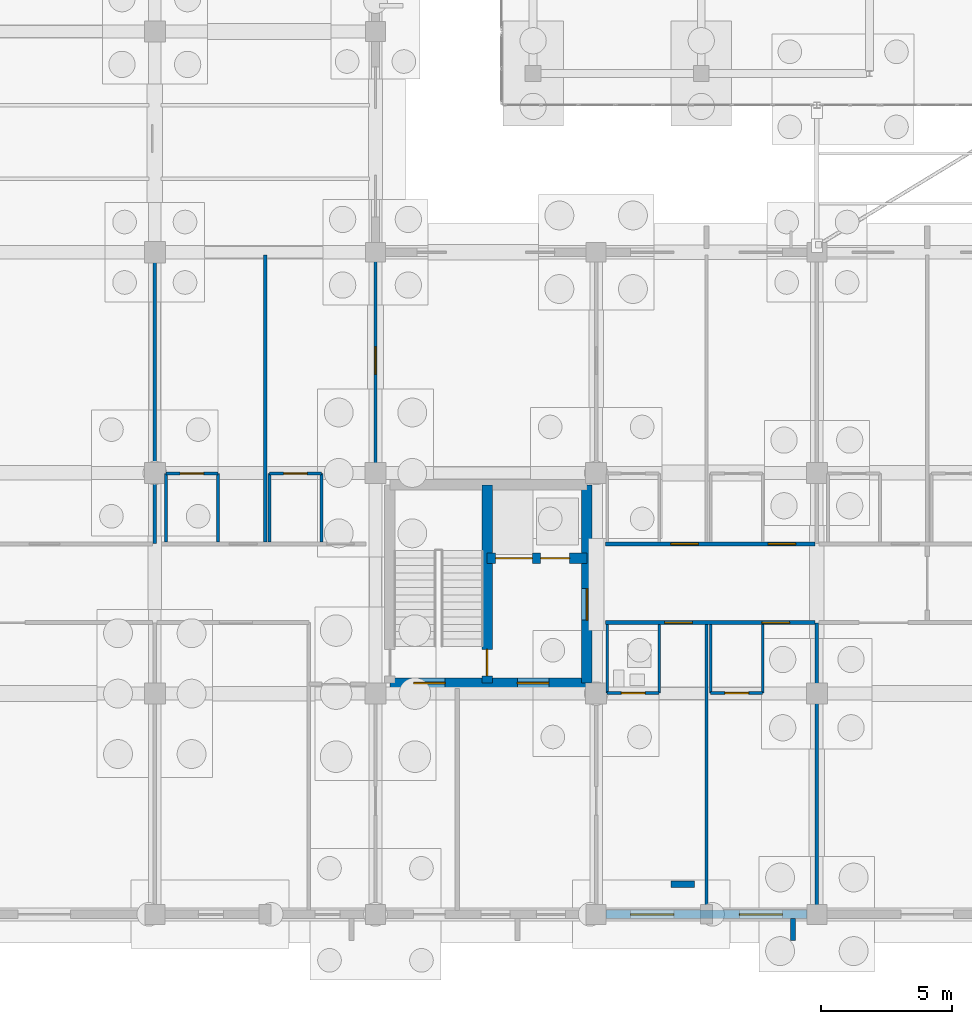
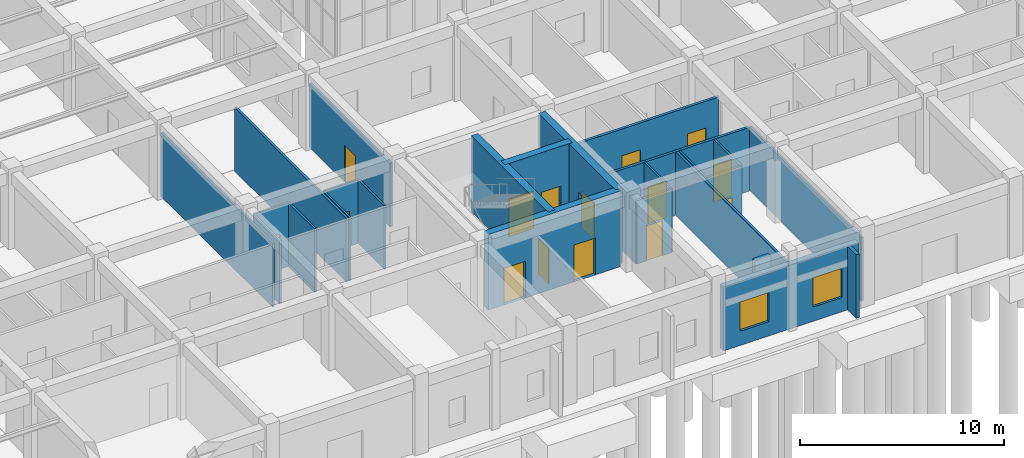
# One storey, part 151 of 192: 26 walls, 15 doors, 2 windows, 17 openings.
"""IFC4 building model written with IfcOpenShell, lengths in metres."""

from ifc_helpers import new_model, si_unit, direction, frame, frame_2d, origin, place, context, subcontext, project, spatial, rectangle, extrude, material, layer, layer_set, type_object, element, fill, save


model = new_model("IFC4")

# Units and contexts
model_context = context("Model", 3, precision=1e-05, world=origin(), true_north=direction((0.0, 1.0)))
body_context = subcontext(model_context, "Body", "Model", "MODEL_VIEW")
ifc_project = project(units=[si_unit("LENGTHUNIT", "METRE"), si_unit("AREAUNIT", "SQUARE_METRE"), si_unit("VOLUMEUNIT", "CUBIC_METRE"), si_unit("PLANEANGLEUNIT", "RADIAN"), si_unit("MASSUNIT", "GRAM", prefix="KILO")], contexts=[model_context])

# Site, building, storey
site_placement = place(None, origin())
site = spatial("IfcSite", under=ifc_project, at=site_placement, CompositionType="ELEMENT")
building_placement = place(site_placement, origin())
building = spatial("IfcBuilding", under=site, at=building_placement, Name="Trelvath General Hospital", CompositionType="ELEMENT")
storey_placement = place(building_placement, origin())
storey = spatial("IfcBuildingStorey", under=building, at=storey_placement, Name="L00", CompositionType="ELEMENT", Elevation=0.0)

# Wall
ifc_material_1 = material(Name="Precast concrete C40/50", Category="concrete")
ifc_layer_1 = layer(ifc_material_1, 0.199951171875)
ifc_layer_set_1 = layer_set([ifc_layer_1], Name="Precast concrete C40/50")
wall_type_1 = type_object("IfcWallType", Name="BriseSoleilRib 200", PredefinedType="ELEMENTEDWALL", material=ifc_layer_set_1)
wall_1_placement = place(storey_placement, frame((57.889404296875, -0.14990234375, 0.0), z_axis=(0.0, 0.0, 1.0), x_axis=(0.0, -1.0, 0.0)))
element("IfcWall", 1, at=wall_1_placement, inside=storey, type_object=wall_type_1, Name="Precast Concrete Brise-Soleil Rib Fin L00-24", PredefinedType="ELEMENTEDWALL", context=body_context, shape_type="SweptSolid", body=[
    extrude(rectangle(XDim=0.85009765625, YDim=0.199951171875, at=frame_2d((0.425048828125, 0.0))), origin(), (0.0, 0.0, 1.0), 3.800048828125),
])

# Wall, openings, doors
ifc_material_2 = material(Name="Gypsum acoustic steel-stud partition", Category="steel")
ifc_layer_2 = layer(ifc_material_2, 0.14990234375)
ifc_layer_set_2 = layer_set([ifc_layer_2], Name="Gypsum acoustic steel-stud partition")
wall_type_2 = type_object("IfcWallType", Name="ClinicalPartition 150", PredefinedType="PARTITIONING", material=ifc_layer_set_2)
wall_2_placement = place(storey_placement, frame((50.760009765625, 11.10009765625, 0.0), z_axis=(0.0, 0.0, 1.0), x_axis=(1.0, 0.0, 0.0)))
wall_2 = element("IfcWall", 2, at=wall_2_placement, inside=storey, type_object=wall_type_2, Name="Corridor Partition L00-45", PredefinedType="PARTITIONING", context=body_context, shape_type="SweptSolid", body=[
    extrude(rectangle(XDim=7.9599609375, YDim=0.14990234375, at=frame_2d((3.97998046875, 0.0))), origin(), (0.0, 0.0, 1.0), 3.800048828125),
])
opening_1_placement = place(wall_2_placement, frame((2.25, 0.0, 0.0)))
opening_1 = element("IfcOpeningElement", 3, at=opening_1_placement, cuts=wall_2, Name="Opening D-0-0305", PredefinedType="OPENING", context=body_context, shape_type="SweptSolid", body=[
    extrude(rectangle(XDim=1.050048828125, YDim=2.199951171875, at=frame_2d((0.52490234375, 1.10009765625))), frame((0.0, 0.0849609375, 0.0), z_axis=(0.0, -1.0, 0.0), x_axis=(1.0, 0.0, 0.0)), (0.0, 0.0, 1.0), 0.169921875),
])
opening_2_placement = place(wall_2_placement, frame((5.949951171875, 0.0, 0.0)))
opening_2 = element("IfcOpeningElement", 4, at=opening_2_placement, cuts=wall_2, Name="Opening D-0-0306", PredefinedType="OPENING", context=body_context, shape_type="SweptSolid", body=[
    extrude(rectangle(XDim=1.050048828125, YDim=2.199951171875, at=frame_2d((0.52490234375, 1.10009765625))), frame((0.0, 0.0849609375, 0.0), z_axis=(0.0, -1.0, 0.0), x_axis=(1.0, 0.0, 0.0)), (0.0, 0.0, 1.0), 0.169921875),
])
ifc_material_3 = material(Name="Acoustic hospital timber leaf", Category="wood")
door_type_1 = type_object("IfcDoorType", Name="Door Consult 1050x2200", OperationType="NOTDEFINED", PredefinedType="DOOR", material=ifc_material_3)
door_1_placement = place(opening_1_placement, origin())
door_1 = element("IfcDoor", 5, at=door_1_placement, inside=storey, type_object=door_type_1, Name="Patient Room Door L00-305", OperationType="SINGLE_SWING_RIGHT", OverallHeight=2.199951171875, OverallWidth=1.050048828125, PredefinedType="DOOR", context=body_context, shape_type="SweptSolid", body=[
    extrude(rectangle(XDim=1.050048828125, YDim=2.199951171875, at=frame_2d((0.52490234375, 1.10009765625))), frame((0.0, 0.02490234375, 0.0), z_axis=(0.0, -1.0, 0.0), x_axis=(1.0, 0.0, 0.0)), (0.0, 0.0, 1.0), 0.050048828125),
])
fill(opening_1, door_1)
door_2_placement = place(opening_2_placement, origin())
door_2 = element("IfcDoor", 6, at=door_2_placement, inside=storey, type_object=door_type_1, Name="Patient Room Door L00-306", OperationType="SINGLE_SWING_LEFT", OverallHeight=2.199951171875, OverallWidth=1.050048828125, PredefinedType="DOOR", context=body_context, shape_type="SweptSolid", body=[
    extrude(rectangle(XDim=1.050048828125, YDim=2.199951171875, at=frame_2d((0.52490234375, 1.10009765625))), frame((0.0, 0.02490234375, 0.0), z_axis=(0.0, -1.0, 0.0), x_axis=(1.0, 0.0, 0.0)), (0.0, 0.0, 1.0), 0.050048828125),
])
fill(opening_2, door_2)

wall_3_placement = place(storey_placement, frame((58.719970703125, 14.10009765625, 0.0), z_axis=(0.0, 0.0, 1.0), x_axis=(-1.0, 0.0, 0.0)))
wall_3 = element("IfcWall", 7, at=wall_3_placement, inside=storey, type_object=wall_type_2, Name="Corridor Partition N L00-54", PredefinedType="PARTITIONING", context=body_context, shape_type="SweptSolid", body=[
    extrude(rectangle(XDim=7.9599609375, YDim=0.14990234375, at=frame_2d((3.97998046875, 0.0))), origin(), (0.0, 0.0, 1.0), 3.800048828125),
])
opening_3_placement = place(wall_3_placement, frame((0.72998046875, 0.0, 0.0)))
opening_3 = element("IfcOpeningElement", 8, at=opening_3_placement, cuts=wall_3, Name="Opening D-0-0309", PredefinedType="OPENING", context=body_context, shape_type="SweptSolid", body=[
    extrude(rectangle(XDim=1.050048828125, YDim=2.199951171875, at=frame_2d((0.52490234375, 1.10009765625))), frame((0.0, 0.0849609375, 0.0), z_axis=(0.0, -1.0, 0.0), x_axis=(1.0, 0.0, 0.0)), (0.0, 0.0, 1.0), 0.169921875),
])
opening_4_placement = place(wall_3_placement, frame((4.429931640625, 0.0, 0.0)))
opening_4 = element("IfcOpeningElement", 9, at=opening_4_placement, cuts=wall_3, Name="Opening D-0-0310", PredefinedType="OPENING", context=body_context, shape_type="SweptSolid", body=[
    extrude(rectangle(XDim=1.050048828125, YDim=2.199951171875, at=frame_2d((0.52490234375, 1.10009765625))), frame((0.0, 0.0849609375, 0.0), z_axis=(0.0, -1.0, 0.0), x_axis=(1.0, 0.0, 0.0)), (0.0, 0.0, 1.0), 0.169921875),
])
door_3_placement = place(opening_3_placement, origin())
door_3 = element("IfcDoor", 10, at=door_3_placement, inside=storey, type_object=door_type_1, Name="Patient Room Door N L00-309", OperationType="SINGLE_SWING_RIGHT", OverallHeight=2.199951171875, OverallWidth=1.050048828125, PredefinedType="DOOR", context=body_context, shape_type="SweptSolid", body=[
    extrude(rectangle(XDim=1.050048828125, YDim=2.199951171875, at=frame_2d((0.52490234375, 1.10009765625))), frame((0.0, 0.02490234375, 0.0), z_axis=(0.0, -1.0, 0.0), x_axis=(1.0, 0.0, 0.0)), (0.0, 0.0, 1.0), 0.050048828125),
])
fill(opening_3, door_3)
door_4_placement = place(opening_4_placement, origin())
door_4 = element("IfcDoor", 11, at=door_4_placement, inside=storey, type_object=door_type_1, Name="Patient Room Door N L00-310", OperationType="SINGLE_SWING_RIGHT", OverallHeight=2.199951171875, OverallWidth=1.050048828125, PredefinedType="DOOR", context=body_context, shape_type="SweptSolid", body=[
    extrude(rectangle(XDim=1.050048828125, YDim=2.199951171875, at=frame_2d((0.52490234375, 1.10009765625))), frame((0.0, 0.02490234375, 0.0), z_axis=(0.0, -1.0, 0.0), x_axis=(1.0, 0.0, 0.0)), (0.0, 0.0, 1.0), 0.050048828125),
])
fill(opening_4, door_4)

ifc_material_4 = material(Name="Concrete C40/50", Category="concrete")
ifc_layer_3 = layer(ifc_material_4, 0.39990234375)
ifc_layer_set_3 = layer_set([ifc_layer_3], Name="Concrete C40/50")
wall_type_3 = type_object("IfcWallType", Name="CoreShearWall 400", PredefinedType="SHEAR", material=ifc_layer_set_3)
wall_4_placement = place(storey_placement, frame((42.550048828125, 8.800048828125, 0.0), z_axis=(0.0, 0.0, 1.0), x_axis=(1.0, 0.0, 0.0)))
wall_4 = element("IfcWall", 12, at=wall_4_placement, inside=storey, type_object=wall_type_3, Name="Core Shear Wall C4 S L00", PredefinedType="SHEAR", context=body_context, shape_type="SweptSolid", body=[
    extrude(rectangle(XDim=7.5, YDim=0.39990234375, at=frame_2d((3.75, 0.0))), origin(), (0.0, 0.0, 1.0), 4.52001953125),
])
opening_5_placement = place(wall_4_placement, frame((4.85009765625, 0.0, 0.0)))
opening_5 = element("IfcOpeningElement", 13, at=opening_5_placement, cuts=wall_4, Name="Opening FD-LS40", PredefinedType="OPENING", context=body_context, shape_type="SweptSolid", body=[
    extrude(rectangle(XDim=1.199951171875, YDim=2.199951171875, at=frame_2d((0.60009765625, 1.10009765625))), frame((0.0, 0.2099609375, 0.0), z_axis=(0.0, -1.0, 0.0), x_axis=(1.0, 0.0, 0.0)), (0.0, 0.0, 1.0), 0.419921875),
])
opening_6_placement = place(wall_4_placement, frame((0.89990234375, 0.0, 0.0)))
opening_6 = element("IfcOpeningElement", 14, at=opening_6_placement, cuts=wall_4, Name="Opening FD-EX4", PredefinedType="OPENING", context=body_context, shape_type="SweptSolid", body=[
    extrude(rectangle(XDim=1.199951171875, YDim=2.199951171875, at=frame_2d((0.60009765625, 1.10009765625))), frame((0.0, 0.2099609375, 0.0), z_axis=(0.0, -1.0, 0.0), x_axis=(1.0, 0.0, 0.0)), (0.0, 0.0, 1.0), 0.419921875),
])
ifc_material_5 = material(Name="Fire-rated steel door", Category="steel")
door_type_2 = type_object("IfcDoorType", Name="Door FireLobby 1200x2200", OperationType="NOTDEFINED", PredefinedType="DOOR", material=ifc_material_5)
door_5_placement = place(opening_5_placement, origin())
door_5 = element("IfcDoor", 15, at=door_5_placement, inside=storey, type_object=door_type_2, Name="Fire Lobby South Door C4 L00", OperationType="SINGLE_SWING_LEFT", OverallHeight=2.199951171875, OverallWidth=1.199951171875, PredefinedType="DOOR", context=body_context, shape_type="SweptSolid", body=[
    extrude(rectangle(XDim=1.199951171875, YDim=2.199951171875, at=frame_2d((0.60009765625, 1.10009765625))), frame((0.0, 0.02490234375, 0.0), z_axis=(0.0, -1.0, 0.0), x_axis=(1.0, 0.0, 0.0)), (0.0, 0.0, 1.0), 0.050048828125),
])
fill(opening_5, door_5)
door_6_placement = place(opening_6_placement, origin())
door_6 = element("IfcDoor", 16, at=door_6_placement, inside=storey, type_object=door_type_2, Name="Exit Stair Discharge Door ST4 L00", OperationType="SINGLE_SWING_RIGHT", OverallHeight=2.199951171875, OverallWidth=1.199951171875, PredefinedType="DOOR", context=body_context, shape_type="SweptSolid", body=[
    extrude(rectangle(XDim=1.199951171875, YDim=2.199951171875, at=frame_2d((0.60009765625, 1.10009765625))), frame((0.0, 0.02490234375, 0.0), z_axis=(0.0, -1.0, 0.0), x_axis=(1.0, 0.0, 0.0)), (0.0, 0.0, 1.0), 0.050048828125),
])
fill(opening_6, door_6)

# Wall, opening, door
wall_5_placement = place(storey_placement, frame((50.050048828125, 8.800048828125, 0.0), z_axis=(0.0, 0.0, 1.0), x_axis=(0.0, 1.0, 0.0)))
wall_5 = element("IfcWall", 17, at=wall_5_placement, inside=storey, type_object=wall_type_3, Name="Core Shear Wall C4 E L00", PredefinedType="SHEAR", context=body_context, shape_type="SweptSolid", body=[
    extrude(rectangle(XDim=7.550048828125, YDim=0.39990234375, at=frame_2d((3.77490234375, 0.0))), origin(), (0.0, 0.0, 1.0), 4.52001953125),
])
opening_7_placement = place(wall_5_placement, frame((2.39990234375, 0.0, 0.0)))
opening_7 = element("IfcOpeningElement", 18, at=opening_7_placement, cuts=wall_5, Name="Opening FD-LE40", PredefinedType="OPENING", context=body_context, shape_type="SweptSolid", body=[
    extrude(rectangle(XDim=1.199951171875, YDim=2.199951171875, at=frame_2d((0.60009765625, 1.10009765625))), frame((0.0, 0.2099609375, 0.0), z_axis=(0.0, -1.0, 0.0), x_axis=(1.0, 0.0, 0.0)), (0.0, 0.0, 1.0), 0.419921875),
])
door_7_placement = place(opening_7_placement, origin())
door_7 = element("IfcDoor", 19, at=door_7_placement, inside=storey, type_object=door_type_2, Name="Fire Lobby East Corridor Door C4 L00", OperationType="SINGLE_SWING_RIGHT", OverallHeight=2.199951171875, OverallWidth=1.199951171875, PredefinedType="DOOR", context=body_context, shape_type="SweptSolid", body=[
    extrude(rectangle(XDim=1.199951171875, YDim=2.199951171875, at=frame_2d((0.60009765625, 1.10009765625))), frame((0.0, 0.02490234375, 0.0), z_axis=(0.0, -1.0, 0.0), x_axis=(1.0, 0.0, 0.0)), (0.0, 0.0, 1.0), 0.050048828125),
])
fill(opening_7, door_7)

wall_6_placement = place(storey_placement, frame((46.25, 8.800048828125, 0.0), z_axis=(0.0, 0.0, 1.0), x_axis=(0.0, 1.0, 0.0)))
wall_6 = element("IfcWall", 20, at=wall_6_placement, inside=storey, type_object=wall_type_3, Name="Core Shear Wall C4 SPINE L00", PredefinedType="SHEAR", context=body_context, shape_type="SweptSolid", body=[
    extrude(rectangle(XDim=7.550048828125, YDim=0.39990234375, at=frame_2d((3.77490234375, 0.0))), origin(), (0.0, 0.0, 1.0), 4.52001953125),
])
opening_8_placement = place(wall_6_placement, frame((0.280029296875, 0.0, 0.0)))
opening_8 = element("IfcOpeningElement", 21, at=opening_8_placement, cuts=wall_6, Name="Opening FD-S40", PredefinedType="OPENING", context=body_context, shape_type="SweptSolid", body=[
    extrude(rectangle(XDim=1.0, YDim=2.14990234375, at=frame_2d((0.5, 1.074951171875))), frame((0.0, 0.2099609375, 0.0), z_axis=(0.0, -1.0, 0.0), x_axis=(1.0, 0.0, 0.0)), (0.0, 0.0, 1.0), 0.419921875),
])
ifc_material_6 = material(Name="Fire-rated steel door", Category="steel")
door_type_3 = type_object("IfcDoorType", Name="Door FireStair 1100x2150", OperationType="NOTDEFINED", PredefinedType="DOOR", material=ifc_material_6)
door_8_placement = place(opening_8_placement, origin())
door_8 = element("IfcDoor", 22, at=door_8_placement, inside=storey, type_object=door_type_3, Name="Exit Stair Door ST4 L00", OperationType="SINGLE_SWING_LEFT", OverallHeight=2.14990234375, OverallWidth=1.0, PredefinedType="DOOR", context=body_context, shape_type="SweptSolid", body=[
    extrude(rectangle(XDim=1.0, YDim=2.14990234375, at=frame_2d((0.5, 1.074951171875))), frame((0.0, 0.02490234375, 0.0), z_axis=(0.0, -1.0, 0.0), x_axis=(1.0, 0.0, 0.0)), (0.0, 0.0, 1.0), 0.050048828125),
])
fill(opening_8, door_8)

# Wall, openings, doors
wall_7_placement = place(storey_placement, frame((46.25, 13.550048828125, 0.0), z_axis=(0.0, 0.0, 1.0), x_axis=(1.0, 0.0, 0.0)))
wall_7 = element("IfcWall", 23, at=wall_7_placement, inside=storey, type_object=wall_type_3, Name="Core Shear Wall C4 SHAFT L00", PredefinedType="SHEAR", context=body_context, shape_type="SweptSolid", body=[
    extrude(rectangle(XDim=3.800048828125, YDim=0.39990234375, at=frame_2d((1.89990234375, 0.0))), origin(), (0.0, 0.0, 1.0), 4.52001953125),
])
opening_9_placement = place(wall_7_placement, frame((0.320068359375, 0.0, 0.0)))
opening_9 = element("IfcOpeningElement", 24, at=opening_9_placement, cuts=wall_7, Name="Opening LD-BD3-0", PredefinedType="OPENING", context=body_context, shape_type="SweptSolid", body=[
    extrude(rectangle(XDim=1.39990234375, YDim=2.25, at=frame_2d((0.699951171875, 1.125))), frame((0.0, 0.2099609375, 0.0), z_axis=(0.0, -1.0, 0.0), x_axis=(1.0, 0.0, 0.0)), (0.0, 0.0, 1.0), 0.419921875),
])
opening_10_placement = place(wall_7_placement, frame((2.0400390625, 0.0, 0.0)))
opening_10 = element("IfcOpeningElement", 25, at=opening_10_placement, cuts=wall_7, Name="Opening LD-PA1-0", PredefinedType="OPENING", context=body_context, shape_type="SweptSolid", body=[
    extrude(rectangle(XDim=1.10009765625, YDim=2.14990234375, at=frame_2d((0.550048828125, 1.074951171875))), frame((0.0, 0.2099609375, 0.0), z_axis=(0.0, -1.0, 0.0), x_axis=(1.0, 0.0, 0.0)), (0.0, 0.0, 1.0), 0.419921875),
])
ifc_material_7 = material(Name="Stainless steel stretcher lift landing door", Category="steel")
door_type_4 = type_object("IfcDoorType", Name="Door LiftBed 1400x2250", OperationType="SLIDING_TO_LEFT", PredefinedType="DOOR", material=ifc_material_7)
door_9_placement = place(opening_9_placement, origin())
door_9 = element("IfcDoor", 26, at=door_9_placement, inside=storey, type_object=door_type_4, Name="Lift Landing Sliding Door LF-BD3 L00", OperationType="SLIDING_TO_LEFT", OverallHeight=2.25, OverallWidth=1.39990234375, PredefinedType="DOOR", context=body_context, shape_type="SweptSolid", body=[
    extrude(rectangle(XDim=1.39990234375, YDim=2.25, at=frame_2d((0.699951171875, 1.125))), frame((0.0, 0.02490234375, 0.0), z_axis=(0.0, -1.0, 0.0), x_axis=(1.0, 0.0, 0.0)), (0.0, 0.0, 1.0), 0.050048828125),
])
fill(opening_9, door_9)
ifc_material_8 = material(Name="Stainless steel lift landing sliding door", Category="steel")
door_type_5 = type_object("IfcDoorType", Name="Door LiftLanding 1100x2150", OperationType="SLIDING_TO_LEFT", PredefinedType="DOOR", material=ifc_material_8)
door_10_placement = place(opening_10_placement, origin())
door_10 = element("IfcDoor", 27, at=door_10_placement, inside=storey, type_object=door_type_5, Name="Lift Landing Sliding Door LF-PA1 L00", OperationType="SLIDING_TO_LEFT", OverallHeight=2.14990234375, OverallWidth=1.10009765625, PredefinedType="DOOR", context=body_context, shape_type="SweptSolid", body=[
    extrude(rectangle(XDim=1.10009765625, YDim=2.14990234375, at=frame_2d((0.550048828125, 1.074951171875))), frame((0.0, 0.02490234375, 0.0), z_axis=(0.0, -1.0, 0.0), x_axis=(1.0, 0.0, 0.0)), (0.0, 0.0, 1.0), 0.050048828125),
])
fill(opening_10, door_10)

# Walls
ifc_material_9 = material(Name="Moisture-resistant tile partition")
ifc_layer_4 = layer(ifc_material_9, 0.110107421875)
ifc_layer_set_4 = layer_set([ifc_layer_4], Name="Moisture-resistant tile partition")
wall_type_4 = type_object("IfcWallType", Name="EnSuiteWetWall 110", PredefinedType="PARTITIONING", material=ifc_layer_set_4)
for number, where, z_axis, x_axis, name in (
    (28, (34.02001953125, 14.169921875, 0.0), (0.0, 0.0, 1.0), (0.0, 1.0, 0.0), "En-Suite W Wall N L00-34"),
    (29, (36.0, 14.169921875, 0.0), (0.0, 0.0, 1.0), (0.0, 1.0, 0.0), "En-Suite E Wall N L00-35"),
):
    element("IfcWall", number, at=place(storey_placement, frame(where, z_axis=z_axis, x_axis=x_axis)), inside=storey, type_object=wall_type_4, Name=name, PredefinedType="PARTITIONING", context=body_context, shape_type="SweptSolid", body=[
        extrude(rectangle(XDim=2.610107421875, YDim=0.110107421875, at=frame_2d((1.30517578125, 0.0))), origin(), (0.0, 0.0, 1.0), 3.800048828125),
    ])

# Wall, opening, door
wall_8_placement = place(storey_placement, frame((34.02001953125, 16.780029296875, 0.0), z_axis=(0.0, 0.0, 1.0), x_axis=(1.0, 0.0, 0.0)))
wall_8 = element("IfcWall", 30, at=wall_8_placement, inside=storey, type_object=wall_type_4, Name="En-Suite Bathroom N Partition L00-36", PredefinedType="PARTITIONING", context=body_context, shape_type="SweptSolid", body=[
    extrude(rectangle(XDim=1.97998046875, YDim=0.110107421875, at=frame_2d((0.989990234375, 0.0))), origin(), (0.0, 0.0, 1.0), 3.800048828125),
])
opening_11_placement = place(wall_8_placement, frame((0.5400390625, 0.0, 0.0)))
opening_11 = element("IfcOpeningElement", 31, at=opening_11_placement, cuts=wall_8, Name="Opening D-0-0299", PredefinedType="OPENING", context=body_context, shape_type="SweptSolid", body=[
    extrude(rectangle(XDim=0.89990234375, YDim=2.10009765625, at=frame_2d((0.449951171875, 1.050048828125))), frame((0.0, 0.06494140625, 0.0), z_axis=(0.0, -1.0, 0.0), x_axis=(1.0, 0.0, 0.0)), (0.0, 0.0, 1.0), 0.130126953125),
])
ifc_material_10 = material(Name="Moisture-sealed timber leaf", Category="wood")
door_type_6 = type_object("IfcDoorType", Name="Door EnSuite 900x2100", OperationType="NOTDEFINED", PredefinedType="DOOR", material=ifc_material_10)
door_11_placement = place(opening_11_placement, origin())
door_11 = element("IfcDoor", 32, at=door_11_placement, inside=storey, type_object=door_type_6, Name="En-Suite Bathroom N Door L00-299", OperationType="SINGLE_SWING_RIGHT", OverallHeight=2.10009765625, OverallWidth=0.89990234375, PredefinedType="DOOR", context=body_context, shape_type="SweptSolid", body=[
    extrude(rectangle(XDim=0.89990234375, YDim=2.10009765625, at=frame_2d((0.449951171875, 1.050048828125))), frame((0.0, 0.02490234375, 0.0), z_axis=(0.0, -1.0, 0.0), x_axis=(1.0, 0.0, 0.0)), (0.0, 0.0, 1.0), 0.050048828125),
])
fill(opening_11, door_11)

# Walls
for number, where, z_axis, x_axis, name in (
    (33, (37.9599609375, 14.169921875, 0.0), (0.0, 0.0, 1.0), (0.0, 1.0, 0.0), "En-Suite W Wall N L00-37"),
    (34, (39.93994140625, 14.169921875, 0.0), (0.0, 0.0, 1.0), (0.0, 1.0, 0.0), "En-Suite E Wall N L00-38"),
):
    element("IfcWall", number, at=place(storey_placement, frame(where, z_axis=z_axis, x_axis=x_axis)), inside=storey, type_object=wall_type_4, Name=name, PredefinedType="PARTITIONING", context=body_context, shape_type="SweptSolid", body=[
        extrude(rectangle(XDim=2.610107421875, YDim=0.110107421875, at=frame_2d((1.30517578125, 0.0))), origin(), (0.0, 0.0, 1.0), 3.800048828125),
    ])

# Wall, opening, door
wall_9_placement = place(storey_placement, frame((37.9599609375, 16.780029296875, 0.0), z_axis=(0.0, 0.0, 1.0), x_axis=(1.0, 0.0, 0.0)))
wall_9 = element("IfcWall", 35, at=wall_9_placement, inside=storey, type_object=wall_type_4, Name="En-Suite Bathroom N Partition L00-39", PredefinedType="PARTITIONING", context=body_context, shape_type="SweptSolid", body=[
    extrude(rectangle(XDim=1.97998046875, YDim=0.110107421875, at=frame_2d((0.989990234375, 0.0))), origin(), (0.0, 0.0, 1.0), 3.800048828125),
])
opening_12_placement = place(wall_9_placement, frame((0.5400390625, 0.0, 0.0)))
opening_12 = element("IfcOpeningElement", 36, at=opening_12_placement, cuts=wall_9, Name="Opening D-0-0300", PredefinedType="OPENING", context=body_context, shape_type="SweptSolid", body=[
    extrude(rectangle(XDim=0.89990234375, YDim=2.10009765625, at=frame_2d((0.449951171875, 1.050048828125))), frame((0.0, 0.06494140625, 0.0), z_axis=(0.0, -1.0, 0.0), x_axis=(1.0, 0.0, 0.0)), (0.0, 0.0, 1.0), 0.130126953125),
])
door_12_placement = place(opening_12_placement, origin())
door_12 = element("IfcDoor", 37, at=door_12_placement, inside=storey, type_object=door_type_6, Name="En-Suite Bathroom N Door L00-300", OperationType="SINGLE_SWING_LEFT", OverallHeight=2.10009765625, OverallWidth=0.89990234375, PredefinedType="DOOR", context=body_context, shape_type="SweptSolid", body=[
    extrude(rectangle(XDim=0.89990234375, YDim=2.10009765625, at=frame_2d((0.449951171875, 1.050048828125))), frame((0.0, 0.02490234375, 0.0), z_axis=(0.0, -1.0, 0.0), x_axis=(1.0, 0.0, 0.0)), (0.0, 0.0, 1.0), 0.050048828125),
])
fill(opening_12, door_12)

# Walls
for number, where, z_axis, x_axis, name in (
    (38, (50.820068359375, 8.419921875, 0.0), (0.0, 0.0, 1.0), (0.0, 1.0, 0.0), "En-Suite W Wall L00-47"),
    (39, (52.800048828125, 8.419921875, 0.0), (0.0, 0.0, 1.0), (0.0, 1.0, 0.0), "En-Suite E Wall L00-48"),
):
    element("IfcWall", number, at=place(storey_placement, frame(where, z_axis=z_axis, x_axis=x_axis)), inside=storey, type_object=wall_type_4, Name=name, PredefinedType="PARTITIONING", context=body_context, shape_type="SweptSolid", body=[
        extrude(rectangle(XDim=2.610107421875, YDim=0.110107421875, at=frame_2d((1.30517578125, 0.0))), origin(), (0.0, 0.0, 1.0), 3.800048828125),
    ])

# Wall, opening, door
wall_10_placement = place(storey_placement, frame((50.820068359375, 8.419921875, 0.0), z_axis=(0.0, 0.0, 1.0), x_axis=(1.0, 0.0, 0.0)))
wall_10 = element("IfcWall", 40, at=wall_10_placement, inside=storey, type_object=wall_type_4, Name="En-Suite Bathroom Partition L00-49", PredefinedType="PARTITIONING", context=body_context, shape_type="SweptSolid", body=[
    extrude(rectangle(XDim=1.97998046875, YDim=0.110107421875, at=frame_2d((0.989990234375, 0.0))), origin(), (0.0, 0.0, 1.0), 3.800048828125),
])
opening_13_placement = place(wall_10_placement, frame((0.5400390625, 0.0, 0.0)))
opening_13 = element("IfcOpeningElement", 41, at=opening_13_placement, cuts=wall_10, Name="Opening D-0-0307", PredefinedType="OPENING", context=body_context, shape_type="SweptSolid", body=[
    extrude(rectangle(XDim=0.89990234375, YDim=2.10009765625, at=frame_2d((0.449951171875, 1.050048828125))), frame((0.0, 0.06494140625, 0.0), z_axis=(0.0, -1.0, 0.0), x_axis=(1.0, 0.0, 0.0)), (0.0, 0.0, 1.0), 0.130126953125),
])
door_13_placement = place(opening_13_placement, origin())
door_13 = element("IfcDoor", 42, at=door_13_placement, inside=storey, type_object=door_type_6, Name="En-Suite Bathroom Door L00-307", OperationType="SINGLE_SWING_RIGHT", OverallHeight=2.10009765625, OverallWidth=0.89990234375, PredefinedType="DOOR", context=body_context, shape_type="SweptSolid", body=[
    extrude(rectangle(XDim=0.89990234375, YDim=2.10009765625, at=frame_2d((0.449951171875, 1.050048828125))), frame((0.0, 0.02490234375, 0.0), z_axis=(0.0, -1.0, 0.0), x_axis=(1.0, 0.0, 0.0)), (0.0, 0.0, 1.0), 0.050048828125),
])
fill(opening_13, door_13)

# Walls
for number, where, z_axis, x_axis, name in (
    (43, (54.760009765625, 8.419921875, 0.0), (0.0, 0.0, 1.0), (0.0, 1.0, 0.0), "En-Suite W Wall L00-50"),
    (44, (56.739990234375, 8.419921875, 0.0), (0.0, 0.0, 1.0), (0.0, 1.0, 0.0), "En-Suite E Wall L00-51"),
):
    element("IfcWall", number, at=place(storey_placement, frame(where, z_axis=z_axis, x_axis=x_axis)), inside=storey, type_object=wall_type_4, Name=name, PredefinedType="PARTITIONING", context=body_context, shape_type="SweptSolid", body=[
        extrude(rectangle(XDim=2.610107421875, YDim=0.110107421875, at=frame_2d((1.30517578125, 0.0))), origin(), (0.0, 0.0, 1.0), 3.800048828125),
    ])

# Wall, opening, door
wall_11_placement = place(storey_placement, frame((54.760009765625, 8.419921875, 0.0), z_axis=(0.0, 0.0, 1.0), x_axis=(1.0, 0.0, 0.0)))
wall_11 = element("IfcWall", 45, at=wall_11_placement, inside=storey, type_object=wall_type_4, Name="En-Suite Bathroom Partition L00-52", PredefinedType="PARTITIONING", context=body_context, shape_type="SweptSolid", body=[
    extrude(rectangle(XDim=1.97998046875, YDim=0.110107421875, at=frame_2d((0.989990234375, 0.0))), origin(), (0.0, 0.0, 1.0), 3.800048828125),
])
opening_14_placement = place(wall_11_placement, frame((0.5400390625, 0.0, 0.0)))
opening_14 = element("IfcOpeningElement", 46, at=opening_14_placement, cuts=wall_11, Name="Opening D-0-0308", PredefinedType="OPENING", context=body_context, shape_type="SweptSolid", body=[
    extrude(rectangle(XDim=0.89990234375, YDim=2.10009765625, at=frame_2d((0.449951171875, 1.050048828125))), frame((0.0, 0.06494140625, 0.0), z_axis=(0.0, -1.0, 0.0), x_axis=(1.0, 0.0, 0.0)), (0.0, 0.0, 1.0), 0.130126953125),
])
door_14_placement = place(opening_14_placement, origin())
door_14 = element("IfcDoor", 47, at=door_14_placement, inside=storey, type_object=door_type_6, Name="En-Suite Bathroom Door L00-308", OperationType="SINGLE_SWING_LEFT", OverallHeight=2.10009765625, OverallWidth=0.89990234375, PredefinedType="DOOR", context=body_context, shape_type="SweptSolid", body=[
    extrude(rectangle(XDim=0.89990234375, YDim=2.10009765625, at=frame_2d((0.449951171875, 1.050048828125))), frame((0.0, 0.02490234375, 0.0), z_axis=(0.0, -1.0, 0.0), x_axis=(1.0, 0.0, 0.0)), (0.0, 0.0, 1.0), 0.050048828125),
])
fill(opening_14, door_14)

# Wall, openings, windows
ifc_material_11 = material(Name="Concrete C35/45", Category="concrete")
ifc_layer_5 = layer(ifc_material_11, 0.320068359375)
ifc_layer_set_5 = layer_set([ifc_layer_5], Name="Concrete C35/45")
wall_type_5 = type_object("IfcWallType", Name="ExtThermalWall 320", PredefinedType="SOLIDWALL", material=ifc_layer_set_5)
wall_12_placement = place(storey_placement, frame((58.425048828125, 0.0, 0.0), z_axis=(0.0, 0.0, 1.0), x_axis=(-1.0, 0.0, 0.0)))
wall_12 = element("IfcWall", 48, at=wall_12_placement, inside=storey, type_object=wall_type_5, Name="Exterior Concrete Wall L00-37", PredefinedType="SOLIDWALL", context=body_context, shape_type="SweptSolid", body=[
    extrude(rectangle(XDim=7.650146484375, YDim=0.320068359375, at=frame_2d((3.8251953125, 0.0))), origin(), (0.0, 0.0, 1.0), 3.820068359375),
])
opening_15_placement = place(wall_12_placement, frame((0.939453125, 0.0, 0.85009765625)))
opening_15 = element("IfcOpeningElement", 49, at=opening_15_placement, cuts=wall_12, Name="Opening WN-0-055", PredefinedType="OPENING", context=body_context, shape_type="SweptSolid", body=[
    extrude(rectangle(XDim=1.639892578125, YDim=1.75, at=frame_2d((0.81982421875, 0.875))), frame((0.0, 0.169921875, 0.0), z_axis=(0.0, -1.0, 0.0), x_axis=(1.0, 0.0, 0.0)), (0.0, 0.0, 1.0), 0.340087890625),
])
opening_16_placement = place(wall_12_placement, frame((5.070556640625, 0.0, 0.85009765625)))
opening_16 = element("IfcOpeningElement", 50, at=opening_16_placement, cuts=wall_12, Name="Opening WN-0-056", PredefinedType="OPENING", context=body_context, shape_type="SweptSolid", body=[
    extrude(rectangle(XDim=1.639892578125, YDim=1.75, at=frame_2d((0.81982421875, 0.875))), frame((0.0, 0.169921875, 0.0), z_axis=(0.0, -1.0, 0.0), x_axis=(1.0, 0.0, 0.0)), (0.0, 0.0, 1.0), 0.340087890625),
])
ifc_material_12 = material(Name="Low-E laminated glass", Category="glass")
window_type = type_object("IfcWindowType", Name="Window ICU 1640x1750", PartitioningType="DOUBLE_PANEL_VERTICAL", PredefinedType="WINDOW", material=ifc_material_12)
window_1_placement = place(opening_15_placement, origin())
window_1 = element("IfcWindow", 51, at=window_1_placement, inside=storey, type_object=window_type, Name="Solar Reveal Window L00-55", OverallHeight=1.75, OverallWidth=1.639892578125, PartitioningType="SINGLE_PANEL", PredefinedType="WINDOW", context=body_context, shape_type="SweptSolid", body=[
    extrude(rectangle(XDim=1.639892578125, YDim=1.75, at=frame_2d((0.81982421875, 0.875))), frame((0.0, 0.030029296875, 0.0), z_axis=(0.0, -1.0, 0.0), x_axis=(1.0, 0.0, 0.0)), (0.0, 0.0, 1.0), 0.06005859375),
])
fill(opening_15, window_1)
window_2_placement = place(opening_16_placement, origin())
window_2 = element("IfcWindow", 52, at=window_2_placement, inside=storey, type_object=window_type, Name="Solar Reveal Window L00-56", OverallHeight=1.75, OverallWidth=1.639892578125, PartitioningType="SINGLE_PANEL", PredefinedType="WINDOW", context=body_context, shape_type="SweptSolid", body=[
    extrude(rectangle(XDim=1.639892578125, YDim=1.75, at=frame_2d((0.81982421875, 0.875))), frame((0.0, 0.030029296875, 0.0), z_axis=(0.0, -1.0, 0.0), x_axis=(1.0, 0.0, 0.0)), (0.0, 0.0, 1.0), 0.06005859375),
])
fill(opening_16, window_2)

# Walls
ifc_material_13 = material(Name="Masonry service chase blockwork", Category="masonry")
ifc_layer_6 = layer(ifc_material_13, 0.239990234375)
ifc_layer_set_6 = layer_set([ifc_layer_6], Name="Masonry service chase blockwork")
wall_type_6 = type_object("IfcWallType", Name="PlumbingChaseWall 240", PredefinedType="PLUMBINGWALL", material=ifc_layer_set_6)
wall_13_placement = place(storey_placement, frame((53.25, 1.14990234375, 0.0), z_axis=(0.0, 0.0, 1.0), x_axis=(1.0, 0.0, 0.0)))
element("IfcWall", 53, at=wall_13_placement, inside=storey, type_object=wall_type_6, Name="Medical Gas Plumbing Chase L00-53", PredefinedType="PLUMBINGWALL", context=body_context, shape_type="SweptSolid", body=[
    extrude(rectangle(XDim=0.89990234375, YDim=0.239990234375, at=frame_2d((0.449951171875, 0.0))), origin(), (0.0, 0.0, 1.0), 3.800048828125),
])
ifc_material_14 = material(Name="Gypsum acoustic steel-stud partition", Category="steel")
ifc_layer_7 = layer(ifc_material_14, 0.1298828125)
ifc_layer_set_7 = layer_set([ifc_layer_7], Name="Gypsum acoustic steel-stud partition")
wall_type_7 = type_object("IfcWallType", Name="WardPartition 130", PredefinedType="PARTITIONING", material=ifc_layer_set_7)
wall_14_placement = place(storey_placement, frame((33.60009765625, 14.1201171875, 0.0), z_axis=(0.0, 0.0, 1.0), x_axis=(0.0, 1.0, 0.0)))
element("IfcWall", 54, at=wall_14_placement, inside=storey, type_object=wall_type_7, Name="Inter-Bay Ward Partition N L00-28", PredefinedType="PARTITIONING", context=body_context, shape_type="SweptSolid", body=[
    extrude(rectangle(XDim=10.93994140625, YDim=0.1298828125, at=frame_2d((5.469970703125, 0.0))), origin(), (0.0, 0.0, 1.0), 3.800048828125),
])
wall_15_placement = place(storey_placement, frame((37.800048828125, 14.169921875, 0.0), z_axis=(0.0, 0.0, 1.0), x_axis=(0.0, 1.0, 0.0)))
element("IfcWall", 55, at=wall_15_placement, inside=storey, type_object=wall_type_7, Name="Room Dividing Partition N L00-33", PredefinedType="PARTITIONING", context=body_context, shape_type="SweptSolid", body=[
    extrude(rectangle(XDim=10.93017578125, YDim=0.1298828125, at=frame_2d((5.465087890625, 0.0))), origin(), (0.0, 0.0, 1.0), 3.800048828125),
])

# Wall, opening, door
wall_16_placement = place(storey_placement, frame((42.0, 17.14990234375, 0.0), z_axis=(0.0, 0.0, 1.0), x_axis=(0.0, 1.0, 0.0)))
wall_16 = element("IfcWall", 56, at=wall_16_placement, inside=storey, type_object=wall_type_7, Name="Inter-Bay Ward Partition N L00-41", PredefinedType="PARTITIONING", context=body_context, shape_type="SweptSolid", body=[
    extrude(rectangle(XDim=7.91015625, YDim=0.1298828125, at=frame_2d((3.955078125, 0.0))), origin(), (0.0, 0.0, 1.0), 3.800048828125),
])
opening_17_placement = place(wall_16_placement, frame((3.39990234375, 0.0, 0.0)))
opening_17 = element("IfcOpeningElement", 57, at=opening_17_placement, cuts=wall_16, Name="Opening D-0-0302", PredefinedType="OPENING", context=body_context, shape_type="SweptSolid", body=[
    extrude(rectangle(XDim=1.050048828125, YDim=2.199951171875, at=frame_2d((0.52490234375, 1.10009765625))), frame((0.0, 0.074951171875, 0.0), z_axis=(0.0, -1.0, 0.0), x_axis=(1.0, 0.0, 0.0)), (0.0, 0.0, 1.0), 0.14990234375),
])
door_15_placement = place(opening_17_placement, origin())
door_15 = element("IfcDoor", 58, at=door_15_placement, inside=storey, type_object=door_type_1, Name="Consultation Connecting Door L00-302", OperationType="SINGLE_SWING_LEFT", OverallHeight=2.199951171875, OverallWidth=1.050048828125, PredefinedType="DOOR", context=body_context, shape_type="SweptSolid", body=[
    extrude(rectangle(XDim=1.050048828125, YDim=2.199951171875, at=frame_2d((0.52490234375, 1.10009765625))), frame((0.0, 0.02490234375, 0.0), z_axis=(0.0, -1.0, 0.0), x_axis=(1.0, 0.0, 0.0)), (0.0, 0.0, 1.0), 0.050048828125),
])
fill(opening_17, door_15)

# Walls
wall_17_placement = place(storey_placement, frame((54.60009765625, 0.10009765625, 0.0), z_axis=(0.0, 0.0, 1.0), x_axis=(0.0, 1.0, 0.0)))
element("IfcWall", 59, at=wall_17_placement, inside=storey, type_object=wall_type_7, Name="Room Dividing Partition S L00-46", PredefinedType="PARTITIONING", context=body_context, shape_type="SweptSolid", body=[
    extrude(rectangle(XDim=10.929931640625, YDim=0.1298828125, at=frame_2d((5.46484375, 0.0))), origin(), (0.0, 0.0, 1.0), 3.800048828125),
])
wall_18_placement = place(storey_placement, frame((58.800048828125, 0.139892578125, 0.0), z_axis=(0.0, 0.0, 1.0), x_axis=(0.0, 1.0, 0.0)))
element("IfcWall", 60, at=wall_18_placement, inside=storey, type_object=wall_type_7, Name="Inter-Bay Ward Partition S L00-62", PredefinedType="PARTITIONING", context=body_context, shape_type="SweptSolid", body=[
    extrude(rectangle(XDim=10.940185546875, YDim=0.1298828125, at=frame_2d((5.47021484375, 0.0))), origin(), (0.0, 0.0, 1.0), 3.800048828125),
])

save(model, "model.ifc")
